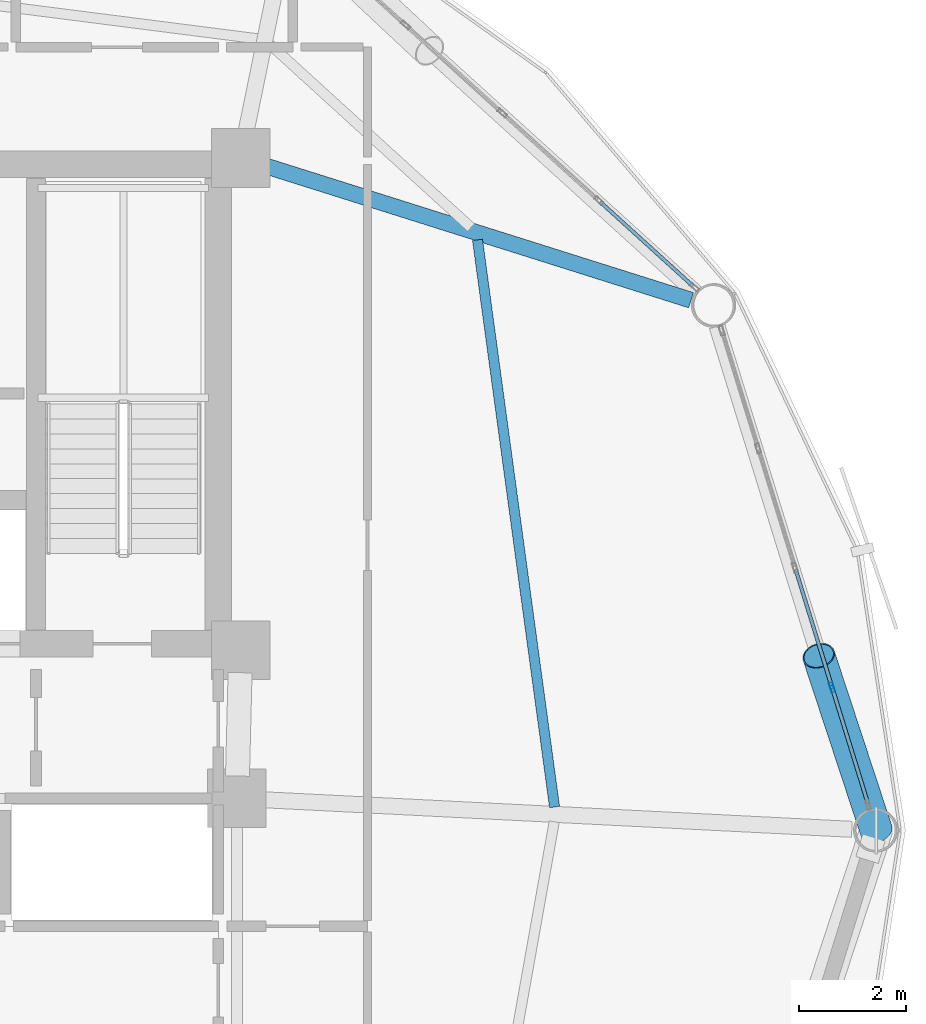
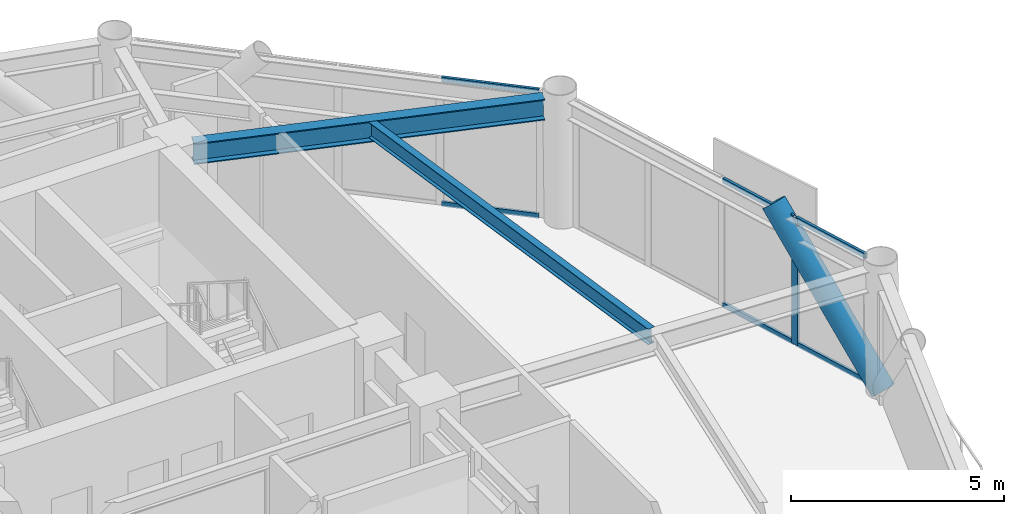
# One storey, part 14 of 26: 8 members, 2 beams, 2 elements without a shape of their own.
"""IFC4 building model written with IfcOpenShell, lengths in metres."""

from ifc_helpers import new_model, si_unit, direction, frame, origin, origin_2d, place, context, subcontext, project, spatial, hollow_rectangle, hollow_circle, i_section, extrude, material, layer, layer_set, material_profile, profile_set, type_object, element, aggregate, save


model = new_model("IFC4")

# Units and contexts
model_context = context("Model", 3, precision=1e-05, world=origin(), true_north=direction((0.0, 1.0)))
body_context = subcontext(model_context, "Body", "Model", "MODEL_VIEW")
ifc_project = project(units=[si_unit("LENGTHUNIT", "METRE"), si_unit("AREAUNIT", "SQUARE_METRE"), si_unit("VOLUMEUNIT", "CUBIC_METRE"), si_unit("PLANEANGLEUNIT", "RADIAN"), si_unit("MASSUNIT", "GRAM", prefix="KILO")], contexts=[model_context])

# Site, building, storey
site_placement = place(None, origin())
site = spatial("IfcSite", under=ifc_project, at=site_placement, CompositionType="ELEMENT")
building_placement = place(site_placement, origin())
building = spatial("IfcBuilding", under=site, at=building_placement, Name="Varnakorn Sky Granary", CompositionType="ELEMENT")
storey_placement = place(building_placement, frame((0.0, 0.0, 87.60009765625)))
storey = spatial("IfcBuildingStorey", under=building, at=storey_placement, Name="L21", CompositionType="ELEMENT", Elevation=87.60009765625)

# Beams
ifc_material_1 = material(Name="Steel S355JR", Category="steel")
ifc_material_profile_1 = material_profile(ifc_material_1, i_section(OverallWidth=0.300048828125, OverallDepth=0.60009765625, WebThickness=0.015380859375, FlangeThickness=0.030029296875, at=origin_2d()), Name="HE 600 B")
ifc_profile_set_1 = profile_set([ifc_material_profile_1], Name="Steel S355JR")
beam_type_1 = type_object("IfcBeamType", Name="BM-RAD-Z2", PredefinedType="BEAM", material=ifc_profile_set_1)
beam_1_placement = place(storey_placement, frame((8.820556640625, 12.49365234375, 3.33984375), z_axis=(0.953620666543, -0.301011003689, 0.0), x_axis=(0.301011003689, 0.953620666543, 0.0)))
element("IfcBeam", 1, at=beam_1_placement, inside=storey, type_object=beam_type_1, Name="Radial Floor Girder RG02 L21", PredefinedType="BEAM", context=body_context, shape_type="SweptSolid", body=[
    extrude(i_section(OverallWidth=0.300048828125, OverallDepth=0.60009765625, WebThickness=0.015380859375, FlangeThickness=0.030029296875, at=origin_2d()), origin(), (0.0, 0.0, 1.0), 8.445556640625),
])
ifc_material_profile_2 = material_profile(ifc_material_1, i_section(OverallWidth=0.18994140625, OverallDepth=0.449951171875, WebThickness=0.009521484375, FlangeThickness=0.0146484375, at=origin_2d()), Name="IPE 450")
ifc_profile_set_2 = profile_set([ifc_material_profile_2], Name="Steel S355JR")
beam_type_2 = type_object("IfcBeamType", Name="BM-SEC-Z2", PredefinedType="BEAM", material=ifc_profile_set_2)
beam_2_placement = place(storey_placement, frame((14.31201171875, 0.43798828125, 3.414794921875), z_axis=(-0.134574710044, 0.990903450098, 0.0), x_axis=(-0.990903450098, -0.134574710044, 0.0)))
element("IfcBeam", 2, at=beam_2_placement, inside=storey, type_object=beam_type_2, Name="Secondary Floor Chord Beam MSB01 L21", PredefinedType="BEAM", context=body_context, shape_type="SweptSolid", body=[
    extrude(i_section(OverallWidth=0.18994140625, OverallDepth=0.449951171875, WebThickness=0.009521484375, FlangeThickness=0.0146484375, at=origin_2d()), origin(), (0.0, 0.0, 1.0), 10.743408203125),
])

# Curtain wall, members
ifc_material_2 = material(Name="Anodised Bronze Aluminium Alloy 6063-T6", Category="aluminium")
ifc_layer = layer(ifc_material_2, 0.18994140625, Name="Anodised Bronze Aluminium Alloy 6063-T6")
ifc_layer_set = layer_set([ifc_layer], Name="Anodised Bronze Aluminium Alloy 6063-T6")
curtain_wall_type = type_object("IfcCurtainWallType", Name="CW-FRM-1", PredefinedType="USERDEFINED", material=ifc_layer_set)
curtain_wall_1_placement = place(storey_placement, origin())
curtain_wall_1 = element("IfcCurtainWall", 3, at=curtain_wall_1_placement, inside=storey, type_object=curtain_wall_type, Name="Unitised Curtain Wall CW3 CW-L21-B01", ObjectType="CURTAIN WALL", PredefinedType="USERDEFINED")
ifc_material_profile_3 = material_profile(ifc_material_2, hollow_rectangle(XDim=0.070068359375, YDim=0.18505859375, WallThickness=0.00390625, at=origin_2d()), Name="ALU MULL 70x185")
ifc_profile_set_3 = profile_set([ifc_material_profile_3], Name="Anodised Bronze Aluminium Alloy 6063-T6")
member_type_1 = type_object("IfcMemberType", Name="CW-FRM-1-MULL", PredefinedType="MULLION", material=ifc_profile_set_3)
member_1_placement = place(storey_placement, frame((19.52001953125, 2.687255859375, 0.0), z_axis=(0.0, 0.0, 1.0), x_axis=(0.955475972481, 0.295068917394, 0.0)))
member_1 = element("IfcMember", 4, at=member_1_placement, type_object=member_type_1, Name="CW3 mullion 4", PredefinedType="MULLION", context=body_context, shape_type="SweptSolid", body=[
    extrude(hollow_rectangle(XDim=0.070068359375, YDim=0.18505859375, WallThickness=0.00390625, at=origin_2d()), origin(), (0.0, 0.0, 1.0), 3.639892578125),
])
ifc_material_profile_4 = material_profile(ifc_material_2, hollow_rectangle(XDim=0.070068359375, YDim=0.139892578125, WallThickness=0.00341796875, at=origin_2d()), Name="ALU TRAN 70x140")
ifc_profile_set_4 = profile_set([ifc_material_profile_4], Name="Anodised Bronze Aluminium Alloy 6063-T6")
member_type_2 = type_object("IfcMemberType", Name="CW-FRM-1-TRAN", PredefinedType="USERDEFINED", material=ifc_profile_set_4)
member_2_placement = place(storey_placement, frame((18.838134765625, 4.895263671875, 0.034912109375), z_axis=(0.29510330976, -0.955465350794, 0.0), x_axis=(0.955465350794, 0.29510330976, 0.0)))
member_2 = element("IfcMember", 5, at=member_2_placement, type_object=member_type_2, Name="CW3 transom 3.1", ObjectType="TRANSOM", PredefinedType="USERDEFINED", context=body_context, shape_type="SweptSolid", body=[
    extrude(hollow_rectangle(XDim=0.070068359375, YDim=0.139892578125, WallThickness=0.00341796875, at=origin_2d()), origin(), (0.0, 0.0, 1.0), 2.27587890625),
])
member_3_placement = place(storey_placement, frame((18.838134765625, 4.895263671875, 3.60498046875), z_axis=(0.29510330976, -0.955465350794, 0.0), x_axis=(0.955465350794, 0.29510330976, 0.0)))
member_3 = element("IfcMember", 6, at=member_3_placement, type_object=member_type_2, Name="CW3 transom 3.2", ObjectType="TRANSOM", PredefinedType="USERDEFINED", context=body_context, shape_type="SweptSolid", body=[
    extrude(hollow_rectangle(XDim=0.070068359375, YDim=0.139892578125, WallThickness=0.00341796875, at=origin_2d()), origin(), (0.0, 0.0, 1.0), 2.27587890625),
])
member_4_placement = place(storey_placement, frame((19.530517578125, 2.65380859375, 0.034912109375), z_axis=(0.295035036036, -0.955486435022, 0.0), x_axis=(0.955486435022, 0.295035036036, 0.0)))
member_4 = element("IfcMember", 7, at=member_4_placement, type_object=member_type_2, Name="CW3 transom 4.1", ObjectType="TRANSOM", PredefinedType="USERDEFINED", context=body_context, shape_type="SweptSolid", body=[
    extrude(hollow_rectangle(XDim=0.070068359375, YDim=0.139892578125, WallThickness=0.00341796875, at=origin_2d()), origin(), (0.0, 0.0, 1.0), 2.240966796875),
])
member_5_placement = place(storey_placement, frame((19.530517578125, 2.65380859375, 3.60498046875), z_axis=(0.295035036036, -0.955486435022, 0.0), x_axis=(0.955486435022, 0.295035036036, 0.0)))
member_5 = element("IfcMember", 8, at=member_5_placement, type_object=member_type_2, Name="CW3 transom 4.2", ObjectType="TRANSOM", PredefinedType="USERDEFINED", context=body_context, shape_type="SweptSolid", body=[
    extrude(hollow_rectangle(XDim=0.070068359375, YDim=0.139892578125, WallThickness=0.00341796875, at=origin_2d()), origin(), (0.0, 0.0, 1.0), 2.240966796875),
])
aggregate(curtain_wall_1, [member_1, member_2, member_3, member_4, member_5])

curtain_wall_2_placement = place(storey_placement, origin())
curtain_wall_2 = element("IfcCurtainWall", 9, at=curtain_wall_2_placement, inside=storey, type_object=curtain_wall_type, Name="Unitised Curtain Wall CW3 CW-L21-B02", ObjectType="CURTAIN WALL", PredefinedType="USERDEFINED")
member_6_placement = place(storey_placement, frame((15.171875, 11.794921875, 0.034912109375), z_axis=(0.740373224632, -0.672196019215, 0.0), x_axis=(0.672196019215, 0.740373224632, 0.0)))
member_6 = element("IfcMember", 10, at=member_6_placement, type_object=member_type_2, Name="CW3 transom 4.1", ObjectType="TRANSOM", PredefinedType="USERDEFINED", context=body_context, shape_type="SweptSolid", body=[
    extrude(hollow_rectangle(XDim=0.070068359375, YDim=0.139892578125, WallThickness=0.00341796875, at=origin_2d()), origin(), (0.0, 0.0, 1.0), 2.345458984375),
])
member_7_placement = place(storey_placement, frame((15.171875, 11.794921875, 3.60498046875), z_axis=(0.740373224632, -0.672196019215, 0.0), x_axis=(0.672196019215, 0.740373224632, 0.0)))
member_7 = element("IfcMember", 11, at=member_7_placement, type_object=member_type_2, Name="CW3 transom 4.2", ObjectType="TRANSOM", PredefinedType="USERDEFINED", context=body_context, shape_type="SweptSolid", body=[
    extrude(hollow_rectangle(XDim=0.070068359375, YDim=0.139892578125, WallThickness=0.00341796875, at=origin_2d()), origin(), (0.0, 0.0, 1.0), 2.345458984375),
])
aggregate(curtain_wall_2, [member_6, member_7])

# Member
ifc_material_3 = material(Name="Steel S460M", Category="steel")
ifc_material_profile_5 = material_profile(ifc_material_3, hollow_circle(Radius=0.304931640625, WallThickness=0.022216796875, at=origin_2d()), Name="CHS 610x22")
ifc_profile_set_5 = profile_set([ifc_material_profile_5], Name="Steel S460M")
member_type_3 = type_object("IfcMemberType", Name="MB-DIAG-T1", PredefinedType="BRACE", material=ifc_profile_set_5)
member_8_placement = place(storey_placement, frame((20.35009765625, 0.0, 0.0), z_axis=(-0.210488584504, 0.639515667696, 0.739401289263), x_axis=(-0.949872170088, -0.312638546076, 0.0)))
element("IfcMember", 12, at=member_8_placement, inside=storey, type_object=member_type_3, Name="Perimeter CHS Diagrid Brace DG01 L21", PredefinedType="BRACE", context=body_context, shape_type="SweptSolid", body=[
    extrude(hollow_circle(Radius=0.304931640625, WallThickness=0.022216796875, at=origin_2d()), origin(), (0.0, 0.0, 1.0), 5.12548828125),
])

save(model, "model.ifc")
